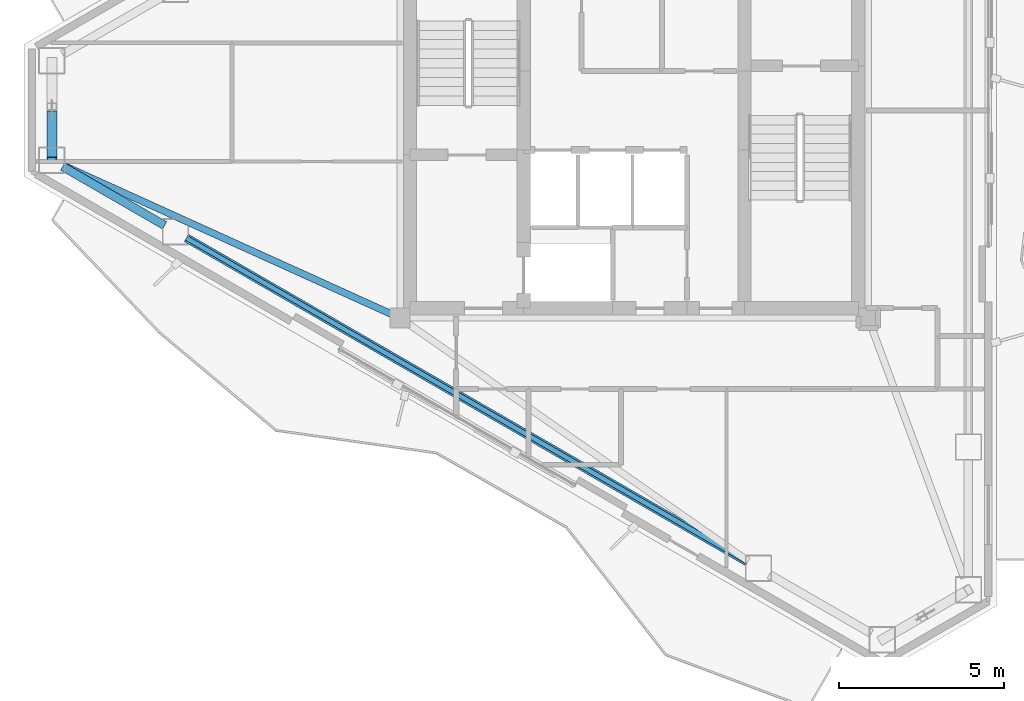
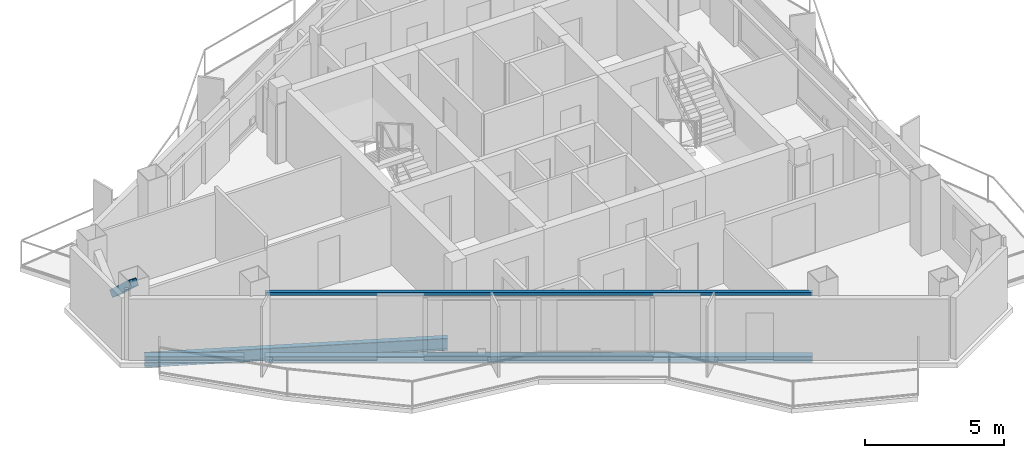
# One storey, part 3 of 18: 4 beams, 1 member.
"""IFC4 building model written with IfcOpenShell, lengths in metres."""

from ifc_helpers import new_model, si_unit, direction, frame, origin, origin_2d, place, context, subcontext, project, spatial, hollow_rectangle, i_section, extrude, material, material_profile, profile_set, type_object, element, save


model = new_model("IFC4")

# Units and contexts
model_context = context("Model", 3, precision=1e-05, world=origin(), true_north=direction((0.0, 1.0)))
body_context = subcontext(model_context, "Body", "Model", "MODEL_VIEW")
ifc_project = project(units=[si_unit("LENGTHUNIT", "METRE"), si_unit("AREAUNIT", "SQUARE_METRE"), si_unit("VOLUMEUNIT", "CUBIC_METRE"), si_unit("PLANEANGLEUNIT", "RADIAN"), si_unit("MASSUNIT", "GRAM", prefix="KILO")], contexts=[model_context])

# Site, building, storey
site_placement = place(None, origin())
site = spatial("IfcSite", under=ifc_project, at=site_placement, CompositionType="ELEMENT")
building_placement = place(site_placement, origin())
building = spatial("IfcBuilding", under=site, at=building_placement, Name="Mersakhor Tower and Convention Hall", CompositionType="ELEMENT")
storey_placement = place(building_placement, frame((0.0, 0.0, 239.699951171875)))
storey = spatial("IfcBuildingStorey", under=building, at=storey_placement, Name="L67", CompositionType="ELEMENT", Elevation=239.699951171875)

# Beams
ifc_material_1 = material(Name="Steel S355", Category="steel")
ifc_material_profile_1 = material_profile(ifc_material_1, i_section(OverallWidth=0.2099609375, OverallDepth=0.53662109375, WebThickness=0.0107421875, FlangeThickness=0.017333984375, at=origin_2d()), Name="UB 533x210x101")
ifc_profile_set_1 = profile_set([ifc_material_profile_1], Name="Steel S355")
beam_type_1 = type_object("IfcBeamType", Name="BM-FB-533", PredefinedType="BEAM", material=ifc_profile_set_1)
beam_1_placement = place(storey_placement, frame((21.64501953125, 20.565673828125, -0.48828125), z_axis=(-0.910860191929, 0.412715047895, 0.0), x_axis=(-0.412715047895, -0.910860191929, 0.0)))
element("IfcBeam", 1, at=beam_1_placement, inside=storey, type_object=beam_type_1, Name="L67 Primary Floor Girder FG-6", PredefinedType="BEAM", context=body_context, shape_type="SweptSolid", body=[
    extrude(i_section(OverallWidth=0.2099609375, OverallDepth=0.53662109375, WebThickness=0.0107421875, FlangeThickness=0.017333984375, at=origin_2d()), origin(), (0.0, 0.0, 1.0), 10.9423828125),
])
ifc_material_2 = material(Name="Steel S355", Category="steel")
ifc_material_profile_2 = material_profile(ifc_material_2, hollow_rectangle(XDim=0.14990234375, YDim=0.14990234375, WallThickness=0.010009765625, at=origin_2d()), Name="SHS 150x150x10")
ifc_profile_set_2 = profile_set([ifc_material_profile_2], Name="Steel S355")
beam_type_2 = type_object("IfcBeamType", Name="BM-GRT-SHS150", PredefinedType="USERDEFINED", material=ifc_profile_set_2)
beam_2_placement = place(storey_placement, frame((32.4423828125, 13.050537109375, 2.47998046875), z_axis=(-0.866021610626, 0.500006569886, 0.0), x_axis=(-0.500006569886, -0.866021610626, 0.0)))
element("IfcBeam", 2, at=beam_2_placement, inside=storey, type_object=beam_type_2, Name="L67 Facade Support Girt GRT-F3", ObjectType="GIRT", PredefinedType="USERDEFINED", context=body_context, shape_type="SweptSolid", body=[
    extrude(hollow_rectangle(XDim=0.14990234375, YDim=0.14990234375, WallThickness=0.010009765625, at=origin_2d()), origin(), (0.0, 0.0, 1.0), 19.661865234375),
])
ifc_material_3 = material(Name="Steel S355", Category="steel")
ifc_material_profile_3 = material_profile(ifc_material_3, i_section(OverallWidth=0.25634765625, OverallDepth=0.26025390625, WebThickness=0.01025390625, FlangeThickness=0.017333984375, at=origin_2d()), Name="UC 254x254x89")
ifc_profile_set_3 = profile_set([ifc_material_profile_3], Name="Steel S355")
beam_type_3 = type_object("IfcBeamType", Name="BM-SPD-UC254", PredefinedType="SPANDREL", material=ifc_profile_set_3)
beam_3_placement = place(storey_placement, frame((32.4423828125, 13.050537109375, -0.35009765625), z_axis=(-0.866021610626, 0.500006569886, 0.0), x_axis=(-0.500006569886, -0.866021610626, 0.0)))
element("IfcBeam", 3, at=beam_3_placement, inside=storey, type_object=beam_type_3, Name="L67 Perimeter Spandrel Beam SPB-10", PredefinedType="SPANDREL", context=body_context, shape_type="SweptSolid", body=[
    extrude(i_section(OverallWidth=0.25634765625, OverallDepth=0.26025390625, WebThickness=0.01025390625, FlangeThickness=0.017333984375, at=origin_2d()), origin(), (0.0, 0.0, 1.0), 19.661865234375),
])
beam_4_placement = place(storey_placement, frame((14.756591796875, 23.261474609375, -0.35009765625), z_axis=(-0.866032030752, 0.499988521579, 0.0), x_axis=(-0.499988521579, -0.866032030752, 0.0)))
element("IfcBeam", 4, at=beam_4_placement, inside=storey, type_object=beam_type_3, Name="L67 Perimeter Spandrel Beam SPB-11", PredefinedType="SPANDREL", context=body_context, shape_type="SweptSolid", body=[
    extrude(i_section(OverallWidth=0.25634765625, OverallDepth=0.26025390625, WebThickness=0.01025390625, FlangeThickness=0.017333984375, at=origin_2d()), origin(), (0.0, 0.0, 1.0), 3.57421875),
])

# Member
ifc_material_4 = material(Name="Steel S355", Category="steel")
ifc_material_profile_4 = material_profile(ifc_material_4, hollow_rectangle(XDim=0.300048828125, YDim=0.300048828125, WallThickness=0.01611328125, at=origin_2d()), Name="SHS 300x300x16")
ifc_profile_set_4 = profile_set([ifc_material_profile_4], Name="Steel S355")
member_type = type_object("IfcMemberType", Name="MB-BRC-SHS300", PredefinedType="BRACE", material=ifc_profile_set_4)
member_placement = place(storey_placement, frame((11.33203125, 26.63330078125, 1.6474609375), z_axis=(0.0, -0.736061982033, 0.676914144191), x_axis=(1.0, 0.0, 0.0)))
element("IfcMember", 5, at=member_placement, inside=storey, type_object=member_type, Name="L67 Chamfer Braced Frame Diagonal CB-3B Upper Half", PredefinedType="BRACE", context=body_context, shape_type="SweptSolid", body=[
    extrude(hollow_rectangle(XDim=0.300048828125, YDim=0.300048828125, WallThickness=0.01611328125, at=origin_2d()), origin(), (0.0, 0.0, 1.0), 1.89453125),
])

save(model, "model.ifc")
